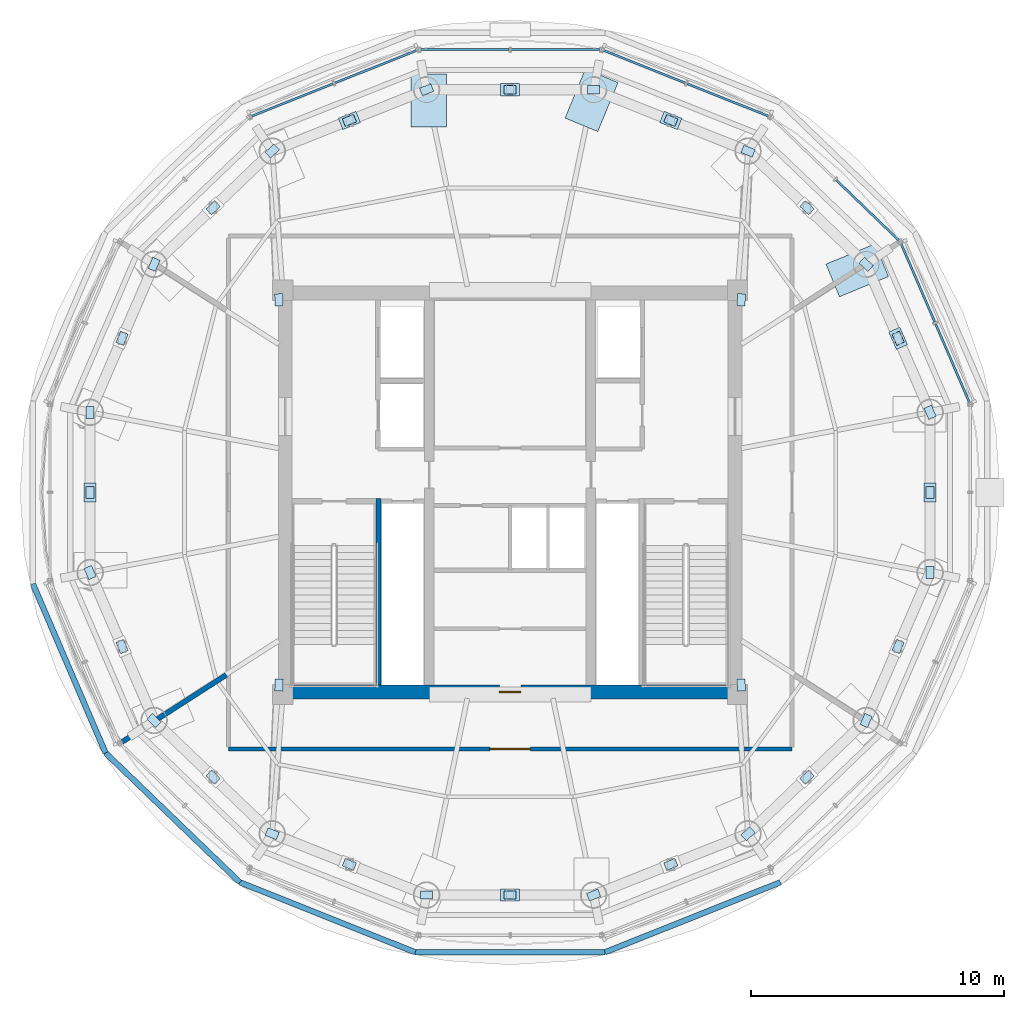
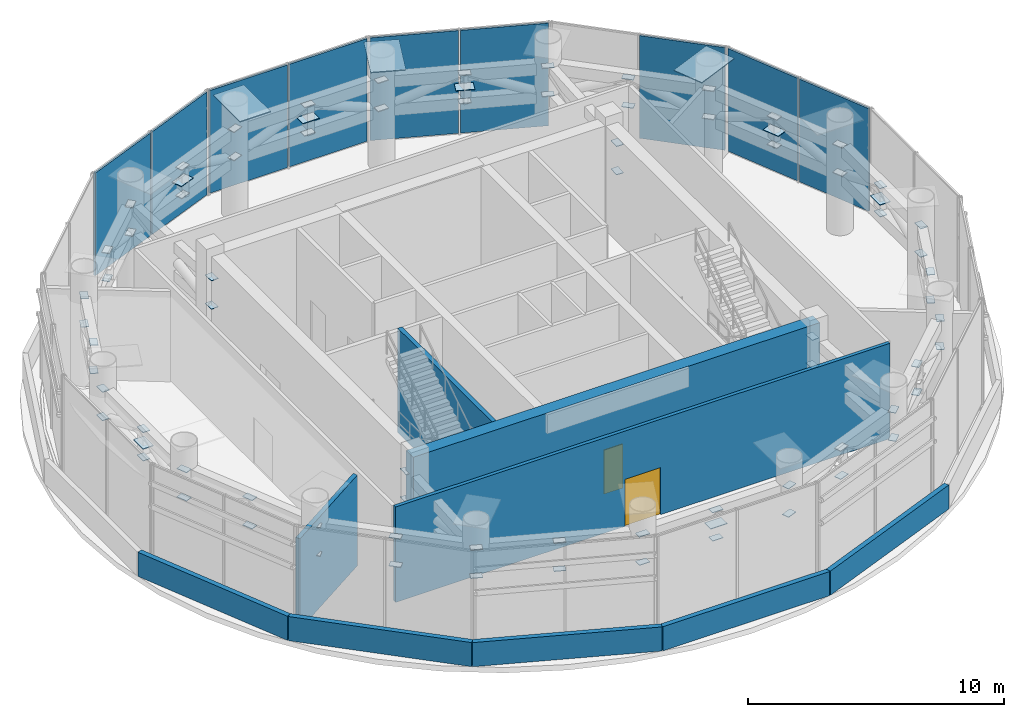
# One storey, part 16 of 21: 91 plates, 9 walls, 2 doors, 2 openings, 5 elements without a shape of their own.
"""IFC4 building model written with IfcOpenShell, lengths in metres."""

from ifc_helpers import new_model, si_unit, direction, frame, frame_2d, origin, origin_2d, place, context, subcontext, project, spatial, rectangle, extrude, source, transform, mapped, material, layer, layer_set, type_object, element, fill, aggregate, save


model = new_model("IFC4")

# Units and contexts
model_context = context("Model", 3, precision=1e-05, world=origin(), true_north=direction((-0.2419218956, 0.970295726276)))
body_context = subcontext(model_context, "Body", "Model", "MODEL_VIEW")
ifc_project = project(units=[si_unit("LENGTHUNIT", "METRE"), si_unit("AREAUNIT", "SQUARE_METRE"), si_unit("VOLUMEUNIT", "CUBIC_METRE"), si_unit("PLANEANGLEUNIT", "RADIAN"), si_unit("MASSUNIT", "GRAM", prefix="KILO")], contexts=[model_context])

# Site, building, storey
site_placement = place(None, origin())
site = spatial("IfcSite", under=ifc_project, at=site_placement, CompositionType="ELEMENT")
building_placement = place(site_placement, origin())
building = spatial("IfcBuilding", under=site, at=building_placement, Name="Cobrevalo Terracotta Tower", CompositionType="ELEMENT")
storey_placement = place(building_placement, frame((0.0, 0.0, 300.699951171875)))
storey = spatial("IfcBuildingStorey", under=building, at=storey_placement, Name="L79", CompositionType="ELEMENT", Elevation=300.699951171875)

# Plates
ifc_material_1 = material(Name="Steel S355", Category="steel")
ifc_layer_1 = layer(ifc_material_1, 0.044921875)
ifc_layer_set_1 = layer_set([ifc_layer_1], Name="Steel S355")
plate_type_1 = type_object("IfcPlateType", Name="Structural Cap Plate 2100x1400x45 (Steel S355)", PredefinedType="USERDEFINED", material=ifc_layer_set_1)
shared_shape_1 = source(origin(), body_context, "Body", "SweptSolid", [
    extrude(rectangle(XDim=2.10009765625, YDim=1.39990234375, at=origin_2d()), origin(), (0.0, 0.0, 1.0), 0.044921875),
])
for number, where, z_axis, x_axis, name in (
    (1, (51.739990234375, 35.591796875, 5.377685546875), (0.0, 0.0, 1.0), (0.923879532511, 0.382683432365, 0.0), "L79 hollow end cap plate CAP-MCT-L79-02"),
    (2, (41.223876953125, 42.321044921875, 5.377685546875), (0.0, 0.0, 1.0), (0.382683432365, 0.923879532511, 0.0), "L79 hollow end cap plate CAP-MCT-L79-04"),
    (3, (34.776123046875, 42.321044921875, 5.377685546875), (0.0, 0.0, 1.0), (0.0, 1.0, 0.0), "L79 hollow end cap plate CAP-MCT-L79-05"),
):
    element("IfcPlate", number, at=place(storey_placement, frame(where, z_axis=z_axis, x_axis=x_axis)), inside=storey, type_object=plate_type_1, Name=name, ObjectType="CAP PLATE", PredefinedType="USERDEFINED", context=body_context, shape_type="MappedRepresentation", body=[
        mapped(shared_shape_1, transform((0.0, 0.0, 0.0), scale=1.0)),
    ])
ifc_layer_2 = layer(ifc_material_1, 0.031982421875)
ifc_layer_set_2 = layer_set([ifc_layer_2], Name="Steel S355")
plate_type_2 = type_object("IfcPlateType", Name="Structural Gusset Plate 750x480x32 (Steel S355)", PredefinedType="SHEET", material=ifc_layer_set_2)
shared_shape_2 = source(origin(), body_context, "Body", "SweptSolid", [
    extrude(rectangle(XDim=0.75, YDim=0.47998046875, at=origin_2d()), origin(), (0.0, 0.0, 1.0), 0.031982421875),
])
for number, where, z_axis, x_axis, name in (
    (4, (53.35888671875, 32.899169921875, 3.30908203125), (0.0, 0.0, 1.0), (-0.396620838256, 0.91798252198, 0.0), "L79 hollow end cap plate GUS-BT-L79-01"),
    (5, (44.36181640625, 41.524658203125, 3.30908203125), (0.0, 0.0, 1.0), (-0.92940078382, 0.369072056697, 0.0), "L79 hollow end cap plate GUS-BT-L79-03"),
    (6, (38.0, 42.73779296875, 3.30908203125), (0.0, 0.0, 1.0), (-1.0, 0.0, 0.0), "L79 hollow end cap plate GUS-BT-L79-04"),
    (7, (31.63818359375, 41.524658203125, 3.30908203125), (0.0, 0.0, 1.0), (-0.92940078382, -0.369072056697, 0.0), "L79 hollow end cap plate GUS-BT-L79-05"),
    (8, (21.375732421875, 26.800048828125, 3.30908203125), (0.0, 0.0, 1.0), (0.0, -1.0, 0.0), "L79 hollow end cap plate GUS-BT-L79-08"),
    (9, (38.0, 10.8623046875, 3.30908203125), (0.0, 0.0, 1.0), (1.0, 0.0, 0.0), "L79 hollow end cap plate GUS-BT-L79-12"),
    (10, (54.624267578125, 26.800048828125, 3.30908203125), (0.0, 0.0, 1.0), (0.0, 1.0, 0.0), "L79 hollow end cap plate GUS-BT-L79-16"),
):
    element("IfcPlate", number, at=place(storey_placement, frame(where, z_axis=z_axis, x_axis=x_axis)), inside=storey, type_object=plate_type_2, Name=name, PredefinedType="SHEET", context=body_context, shape_type="MappedRepresentation", body=[
        mapped(shared_shape_2, transform((0.0, 0.0, 0.0), scale=1.0)),
    ])
ifc_layer_3 = layer(ifc_material_1, 0.02490234375)
ifc_layer_set_3 = layer_set([ifc_layer_3], Name="Steel S355")
plate_type_3 = type_object("IfcPlateType", Name="Structural Cap Plate 480x320x25 (Steel S355)", PredefinedType="USERDEFINED", material=ifc_layer_set_3)
shared_shape_3 = source(origin(), body_context, "Body", "SweptSolid", [
    extrude(rectangle(XDim=0.47998046875, YDim=0.320068359375, at=origin_2d()), origin(), (0.0, 0.0, 1.0), 0.02490234375),
])
for number, where, z_axis, x_axis, name in (
    (11, (54.624267578125, 29.97021484375, 2.6376953125), (0.0, 0.0, 1.0), (-0.396620838256, 0.91798252198, 0.0), "L79 hollow end cap plate CAP-BT-L79-01-B0"),
    (12, (54.624267578125, 29.97021484375, 3.987548828125), (0.0, 0.0, 1.0), (-0.396620838256, 0.91798252198, 0.0), "L79 hollow end cap plate CAP-BT-L79-01-T0"),
    (13, (53.35888671875, 32.899169921875, 2.6376953125), (0.0, 0.0, 1.0), (-0.396620838256, 0.91798252198, 0.0), "L79 hollow end cap plate CAP-BT-L79-01-BM"),
    (14, (53.35888671875, 32.899169921875, 3.987548828125), (0.0, 0.0, 1.0), (-0.396620838256, 0.91798252198, 0.0), "L79 hollow end cap plate CAP-BT-L79-01-TM"),
    (15, (52.093505859375, 35.828125, 2.6376953125), (0.0, 0.0, 1.0), (-0.721855654638, 0.692043650262, 0.0), "L79 hollow end cap plate CAP-BT-L79-02-B0"),
    (16, (52.093505859375, 35.828125, 3.987548828125), (0.0, 0.0, 1.0), (-0.721855654638, 0.692043650262, 0.0), "L79 hollow end cap plate CAP-BT-L79-02-T0"),
    (17, (49.755126953125, 38.069580078125, 2.6376953125), (0.0, 0.0, 1.0), (-0.721855654638, 0.692043650262, 0.0), "L79 hollow end cap plate CAP-BT-L79-02-BM"),
    (18, (49.755126953125, 38.069580078125, 3.987548828125), (0.0, 0.0, 1.0), (-0.721855654638, 0.692043650262, 0.0), "L79 hollow end cap plate CAP-BT-L79-02-TM"),
    (19, (47.4169921875, 40.311279296875, 2.6376953125), (0.0, 0.0, 1.0), (-0.92940078382, 0.369072056697, 0.0), "L79 hollow end cap plate CAP-BT-L79-03-B0"),
    (20, (47.4169921875, 40.311279296875, 3.987548828125), (0.0, 0.0, 1.0), (-0.92940078382, 0.369072056697, 0.0), "L79 hollow end cap plate CAP-BT-L79-03-T0"),
    (21, (44.36181640625, 41.524658203125, 2.6376953125), (0.0, 0.0, 1.0), (-0.92940078382, 0.369072056697, 0.0), "L79 hollow end cap plate CAP-BT-L79-03-BM"),
    (22, (44.36181640625, 41.524658203125, 3.987548828125), (0.0, 0.0, 1.0), (-0.92940078382, 0.369072056697, 0.0), "L79 hollow end cap plate CAP-BT-L79-03-TM"),
    (23, (41.306884765625, 42.73779296875, 2.6376953125), (0.0, 0.0, 1.0), (-1.0, 0.0, 0.0), "L79 hollow end cap plate CAP-BT-L79-04-B0"),
    (24, (41.306884765625, 42.73779296875, 3.987548828125), (0.0, 0.0, 1.0), (-1.0, 0.0, 0.0), "L79 hollow end cap plate CAP-BT-L79-04-T0"),
    (25, (38.0, 42.73779296875, 2.6376953125), (0.0, 0.0, 1.0), (-1.0, 0.0, 0.0), "L79 hollow end cap plate CAP-BT-L79-04-BM"),
    (26, (38.0, 42.73779296875, 3.987548828125), (0.0, 0.0, 1.0), (-1.0, 0.0, 0.0), "L79 hollow end cap plate CAP-BT-L79-04-TM"),
    (27, (34.693115234375, 42.73779296875, 2.6376953125), (0.0, 0.0, 1.0), (-0.92940078382, -0.369072056697, 0.0), "L79 hollow end cap plate CAP-BT-L79-05-B0"),
    (28, (34.693115234375, 42.73779296875, 3.987548828125), (0.0, 0.0, 1.0), (-0.92940078382, -0.369072056697, 0.0), "L79 hollow end cap plate CAP-BT-L79-05-T0"),
    (29, (31.63818359375, 41.524658203125, 2.6376953125), (0.0, 0.0, 1.0), (-0.92940078382, -0.369072056697, 0.0), "L79 hollow end cap plate CAP-BT-L79-05-BM"),
    (30, (31.63818359375, 41.524658203125, 3.987548828125), (0.0, 0.0, 1.0), (-0.92940078382, -0.369072056697, 0.0), "L79 hollow end cap plate CAP-BT-L79-05-TM"),
    (31, (28.5830078125, 40.311279296875, 2.6376953125), (0.0, 0.0, 1.0), (-0.721855654638, -0.692043650262, 0.0), "L79 hollow end cap plate CAP-BT-L79-06-B0"),
    (32, (28.5830078125, 40.311279296875, 3.987548828125), (0.0, 0.0, 1.0), (-0.721855654638, -0.692043650262, 0.0), "L79 hollow end cap plate CAP-BT-L79-06-T0"),
    (33, (26.244873046875, 38.069580078125, 2.6376953125), (0.0, 0.0, 1.0), (-0.721855654638, -0.692043650262, 0.0), "L79 hollow end cap plate CAP-BT-L79-06-BM"),
    (34, (26.244873046875, 38.069580078125, 3.987548828125), (0.0, 0.0, 1.0), (-0.721855654638, -0.692043650262, 0.0), "L79 hollow end cap plate CAP-BT-L79-06-TM"),
    (35, (23.906494140625, 35.828125, 2.6376953125), (0.0, 0.0, 1.0), (-0.396620838256, -0.91798252198, 0.0), "L79 hollow end cap plate CAP-BT-L79-07-B0"),
    (36, (23.906494140625, 35.828125, 3.987548828125), (0.0, 0.0, 1.0), (-0.396620838256, -0.91798252198, 0.0), "L79 hollow end cap plate CAP-BT-L79-07-T0"),
    (37, (22.64111328125, 32.899169921875, 2.6376953125), (0.0, 0.0, 1.0), (-0.396620838256, -0.91798252198, 0.0), "L79 hollow end cap plate CAP-BT-L79-07-BM"),
    (38, (22.64111328125, 32.899169921875, 3.987548828125), (0.0, 0.0, 1.0), (-0.396620838256, -0.91798252198, 0.0), "L79 hollow end cap plate CAP-BT-L79-07-TM"),
    (39, (21.375732421875, 29.97021484375, 2.6376953125), (0.0, 0.0, 1.0), (0.0, -1.0, 0.0), "L79 hollow end cap plate CAP-BT-L79-08-B0"),
    (40, (21.375732421875, 29.97021484375, 3.987548828125), (0.0, 0.0, 1.0), (0.0, -1.0, 0.0), "L79 hollow end cap plate CAP-BT-L79-08-T0"),
    (41, (21.375732421875, 26.800048828125, 2.6376953125), (0.0, 0.0, 1.0), (0.0, -1.0, 0.0), "L79 hollow end cap plate CAP-BT-L79-08-BM"),
    (42, (21.375732421875, 26.800048828125, 3.987548828125), (0.0, 0.0, 1.0), (0.0, -1.0, 0.0), "L79 hollow end cap plate CAP-BT-L79-08-TM"),
    (43, (21.375732421875, 23.6298828125, 2.6376953125), (0.0, 0.0, 1.0), (0.396620838256, -0.91798252198, 0.0), "L79 hollow end cap plate CAP-BT-L79-09-B0"),
    (44, (21.375732421875, 23.6298828125, 3.987548828125), (0.0, 0.0, 1.0), (0.396620838256, -0.91798252198, 0.0), "L79 hollow end cap plate CAP-BT-L79-09-T0"),
    (45, (22.64111328125, 20.700927734375, 2.6376953125), (0.0, 0.0, 1.0), (0.396620838256, -0.91798252198, 0.0), "L79 hollow end cap plate CAP-BT-L79-09-BM"),
    (46, (22.64111328125, 20.700927734375, 3.987548828125), (0.0, 0.0, 1.0), (0.396620838256, -0.91798252198, 0.0), "L79 hollow end cap plate CAP-BT-L79-09-TM"),
    (47, (23.906494140625, 17.77197265625, 2.6376953125), (0.0, 0.0, 1.0), (0.721855654638, -0.692043650262, 0.0), "L79 hollow end cap plate CAP-BT-L79-10-B0"),
    (48, (23.906494140625, 17.77197265625, 3.987548828125), (0.0, 0.0, 1.0), (0.721855654638, -0.692043650262, 0.0), "L79 hollow end cap plate CAP-BT-L79-10-T0"),
    (49, (26.244873046875, 15.5302734375, 2.6376953125), (0.0, 0.0, 1.0), (0.721855654638, -0.692043650262, 0.0), "L79 hollow end cap plate CAP-BT-L79-10-BM"),
    (50, (26.244873046875, 15.5302734375, 3.987548828125), (0.0, 0.0, 1.0), (0.721855654638, -0.692043650262, 0.0), "L79 hollow end cap plate CAP-BT-L79-10-TM"),
    (51, (28.5830078125, 13.28857421875, 2.6376953125), (0.0, 0.0, 1.0), (0.92940078382, -0.369072056697, 0.0), "L79 hollow end cap plate CAP-BT-L79-11-B0"),
    (52, (28.5830078125, 13.28857421875, 3.987548828125), (0.0, 0.0, 1.0), (0.92940078382, -0.369072056697, 0.0), "L79 hollow end cap plate CAP-BT-L79-11-T0"),
    (53, (31.63818359375, 12.075439453125, 2.6376953125), (0.0, 0.0, 1.0), (0.92940078382, -0.369072056697, 0.0), "L79 hollow end cap plate CAP-BT-L79-11-BM"),
    (54, (31.63818359375, 12.075439453125, 3.987548828125), (0.0, 0.0, 1.0), (0.92940078382, -0.369072056697, 0.0), "L79 hollow end cap plate CAP-BT-L79-11-TM"),
    (55, (34.693115234375, 10.8623046875, 2.6376953125), (0.0, 0.0, 1.0), (1.0, 0.0, 0.0), "L79 hollow end cap plate CAP-BT-L79-12-B0"),
    (56, (34.693115234375, 10.8623046875, 3.987548828125), (0.0, 0.0, 1.0), (1.0, 0.0, 0.0), "L79 hollow end cap plate CAP-BT-L79-12-T0"),
    (57, (38.0, 10.8623046875, 2.6376953125), (0.0, 0.0, 1.0), (1.0, 0.0, 0.0), "L79 hollow end cap plate CAP-BT-L79-12-BM"),
    (58, (38.0, 10.8623046875, 3.987548828125), (0.0, 0.0, 1.0), (1.0, 0.0, 0.0), "L79 hollow end cap plate CAP-BT-L79-12-TM"),
    (59, (41.306884765625, 10.8623046875, 2.6376953125), (0.0, 0.0, 1.0), (0.92940078382, 0.369072056697, 0.0), "L79 hollow end cap plate CAP-BT-L79-13-B0"),
    (60, (41.306884765625, 10.8623046875, 3.987548828125), (0.0, 0.0, 1.0), (0.92940078382, 0.369072056697, 0.0), "L79 hollow end cap plate CAP-BT-L79-13-T0"),
    (61, (44.36181640625, 12.075439453125, 2.6376953125), (0.0, 0.0, 1.0), (0.92940078382, 0.369072056697, 0.0), "L79 hollow end cap plate CAP-BT-L79-13-BM"),
    (62, (44.36181640625, 12.075439453125, 3.987548828125), (0.0, 0.0, 1.0), (0.92940078382, 0.369072056697, 0.0), "L79 hollow end cap plate CAP-BT-L79-13-TM"),
    (63, (47.4169921875, 13.28857421875, 2.6376953125), (0.0, 0.0, 1.0), (0.721855654638, 0.692043650262, 0.0), "L79 hollow end cap plate CAP-BT-L79-14-B0"),
    (64, (47.4169921875, 13.28857421875, 3.987548828125), (0.0, 0.0, 1.0), (0.721855654638, 0.692043650262, 0.0), "L79 hollow end cap plate CAP-BT-L79-14-T0"),
    (65, (49.755126953125, 15.5302734375, 2.6376953125), (0.0, 0.0, 1.0), (0.721855654638, 0.692043650262, 0.0), "L79 hollow end cap plate CAP-BT-L79-14-BM"),
    (66, (49.755126953125, 15.5302734375, 3.987548828125), (0.0, 0.0, 1.0), (0.721855654638, 0.692043650262, 0.0), "L79 hollow end cap plate CAP-BT-L79-14-TM"),
    (67, (52.093505859375, 17.77197265625, 2.6376953125), (0.0, 0.0, 1.0), (0.396620838256, 0.91798252198, 0.0), "L79 hollow end cap plate CAP-BT-L79-15-B0"),
    (68, (52.093505859375, 17.77197265625, 3.987548828125), (0.0, 0.0, 1.0), (0.396620838256, 0.91798252198, 0.0), "L79 hollow end cap plate CAP-BT-L79-15-T0"),
    (69, (53.35888671875, 20.700927734375, 2.6376953125), (0.0, 0.0, 1.0), (0.396620838256, 0.91798252198, 0.0), "L79 hollow end cap plate CAP-BT-L79-15-BM"),
    (70, (53.35888671875, 20.700927734375, 3.987548828125), (0.0, 0.0, 1.0), (0.396620838256, 0.91798252198, 0.0), "L79 hollow end cap plate CAP-BT-L79-15-TM"),
    (71, (54.624267578125, 23.6298828125, 2.6376953125), (0.0, 0.0, 1.0), (0.0, 1.0, 0.0), "L79 hollow end cap plate CAP-BT-L79-16-B0"),
    (72, (54.624267578125, 23.6298828125, 3.987548828125), (0.0, 0.0, 1.0), (0.0, 1.0, 0.0), "L79 hollow end cap plate CAP-BT-L79-16-T0"),
    (73, (54.624267578125, 26.800048828125, 2.6376953125), (0.0, 0.0, 1.0), (0.0, 1.0, 0.0), "L79 hollow end cap plate CAP-BT-L79-16-BM"),
    (74, (54.624267578125, 26.800048828125, 3.987548828125), (0.0, 0.0, 1.0), (0.0, 1.0, 0.0), "L79 hollow end cap plate CAP-BT-L79-16-TM"),
    (75, (47.14990234375, 34.425048828125, 2.6376953125), (0.0, 0.0, 1.0), (0.04529847733, 0.998973497122, 0.0), "L79 hollow end cap plate CAP-OR-L79-1-CB"),
    (76, (47.14990234375, 34.425048828125, 3.987548828125), (0.0, 0.0, 1.0), (0.04529847733, 0.998973497122, 0.0), "L79 hollow end cap plate CAP-OR-L79-1-CT"),
    (77, (28.85009765625, 34.425048828125, 2.6376953125), (0.0, 0.0, 1.0), (-0.04529847733, 0.998973497122, 0.0), "L79 hollow end cap plate CAP-OR-L79-2-CB"),
    (78, (28.85009765625, 34.425048828125, 3.987548828125), (0.0, 0.0, 1.0), (-0.04529847733, 0.998973497122, 0.0), "L79 hollow end cap plate CAP-OR-L79-2-CT"),
    (79, (28.85009765625, 19.175048828125, 2.6376953125), (0.0, 0.0, 1.0), (-0.04529847733, -0.998973497122, 0.0), "L79 hollow end cap plate CAP-OR-L79-3-CB"),
    (80, (28.85009765625, 19.175048828125, 3.987548828125), (0.0, 0.0, 1.0), (-0.04529847733, -0.998973497122, 0.0), "L79 hollow end cap plate CAP-OR-L79-3-CT"),
    (81, (47.14990234375, 19.175048828125, 2.6376953125), (0.0, 0.0, 1.0), (0.04529847733, -0.998973497122, 0.0), "L79 hollow end cap plate CAP-OR-L79-4-CB"),
    (82, (47.14990234375, 19.175048828125, 3.987548828125), (0.0, 0.0, 1.0), (0.04529847733, -0.998973497122, 0.0), "L79 hollow end cap plate CAP-OR-L79-4-CT"),
):
    element("IfcPlate", number, at=place(storey_placement, frame(where, z_axis=z_axis, x_axis=x_axis)), inside=storey, type_object=plate_type_3, Name=name, ObjectType="CAP PLATE", PredefinedType="USERDEFINED", context=body_context, shape_type="MappedRepresentation", body=[
        mapped(shared_shape_3, transform((0.0, 0.0, 0.0), scale=1.0)),
    ])

# Curtain wall, plates
ifc_material_2 = material(Name="Anodized aluminium", Category="aluminium")
curtain_wall_type = type_object("IfcCurtainWallType", Name="Belt-truss plant acoustic weather-louvre curtain wall CW-LV", PredefinedType="NOTDEFINED", material=ifc_material_2)
curtain_wall_1_placement = place(storey_placement, origin())
curtain_wall_1 = element("IfcCurtainWall", 83, at=curtain_wall_1_placement, inside=storey, type_object=curtain_wall_type, Name="L79 curtain wall CW-LV-L79-S01", PredefinedType="NOTDEFINED")
ifc_material_3 = material(Name="Anodized aluminium weather louvre", Category="aluminium")
ifc_layer_4 = layer(ifc_material_3, 0.0849609375)
ifc_layer_set_4 = layer_set([ifc_layer_4], Name="Anodized aluminium weather louvre")
plate_type_4 = type_object("IfcPlateType", Name="Plant room acoustic weather-louvre cassette 85 mm", PredefinedType="USERDEFINED", material=ifc_layer_set_4)
shared_shape_4 = source(origin(), body_context, "Body", "SweptSolid", [
    extrude(rectangle(XDim=3.38671875, YDim=0.0849609375, at=origin_2d()), origin(), (0.0, 0.0, 1.0), 4.89990234375),
])
plate_1_placement = place(storey_placement, frame((55.511962890625, 31.9150390625, 0.0400390625), z_axis=(0.0, 0.0, 1.0), x_axis=(-0.395367563103, 0.918522993749, 0.0)))
plate_1 = element("IfcPlate", 84, at=plate_1_placement, type_object=plate_type_4, Name="CW-LV-L79-S01 acoustic louvre panel B01", ObjectType="LOUVRE_PANEL", PredefinedType="USERDEFINED", context=body_context, shape_type="MappedRepresentation", body=[
    mapped(shared_shape_4, transform((0.0, 0.0, 0.0), scale=1.0)),
])
plate_2_placement = place(storey_placement, frame((54.1416015625, 35.09912109375, 0.0400390625), z_axis=(0.0, 0.0, 1.0), x_axis=(-0.395367563103, 0.918522993749, 0.0)))
plate_2 = element("IfcPlate", 85, at=plate_2_placement, type_object=plate_type_4, Name="CW-LV-L79-S01 acoustic louvre panel B02", ObjectType="LOUVRE_PANEL", PredefinedType="USERDEFINED", context=body_context, shape_type="MappedRepresentation", body=[
    mapped(shared_shape_4, transform((0.0, 0.0, 0.0), scale=1.0)),
])
aggregate(curtain_wall_1, [plate_1, plate_2])

# Curtain wall, plate
curtain_wall_2_placement = place(storey_placement, origin())
curtain_wall_2 = element("IfcCurtainWall", 86, at=curtain_wall_2_placement, inside=storey, type_object=curtain_wall_type, Name="L79 curtain wall CW-LV-L79-S02", PredefinedType="NOTDEFINED")
shared_shape_5 = source(origin(), body_context, "Body", "SweptSolid", [
    extrude(rectangle(XDim=3.435302734375, YDim=0.0849609375, at=origin_2d()), origin(), (0.0, 0.0, 1.0), 4.89990234375),
])
plate_3_placement = place(storey_placement, frame((52.14501953125, 37.974609375, 0.0400390625), z_axis=(0.0, 0.0, 1.0), x_axis=(-0.720557162725, 0.693395540255, 0.0)))
plate_3 = element("IfcPlate", 87, at=plate_3_placement, type_object=plate_type_4, Name="CW-LV-L79-S02 acoustic louvre panel B01", ObjectType="LOUVRE_PANEL", PredefinedType="USERDEFINED", context=body_context, shape_type="MappedRepresentation", body=[
    mapped(shared_shape_5, transform((0.0, 0.0, 0.0), scale=1.0)),
])
aggregate(curtain_wall_2, [plate_3])

# Curtain wall, plates
curtain_wall_3_placement = place(storey_placement, origin())
curtain_wall_3 = element("IfcCurtainWall", 88, at=curtain_wall_3_placement, inside=storey, type_object=curtain_wall_type, Name="L79 curtain wall CW-LV-L79-S03", PredefinedType="NOTDEFINED")
shared_shape_6 = source(origin(), body_context, "Body", "SweptSolid", [
    extrude(rectangle(XDim=3.483154296875, YDim=0.0849609375, at=origin_2d()), origin(), (0.0, 0.0, 1.0), 4.89990234375),
])
plate_4_placement = place(storey_placement, frame((46.624755859375, 42.332763671875, 0.0400390625), z_axis=(0.0, 0.0, 1.0), x_axis=(-0.928924628611, 0.370268867662, 0.0)))
plate_4 = element("IfcPlate", 89, at=plate_4_placement, type_object=plate_type_4, Name="CW-LV-L79-S03 acoustic louvre panel B01", ObjectType="LOUVRE_PANEL", PredefinedType="USERDEFINED", context=body_context, shape_type="MappedRepresentation", body=[
    mapped(shared_shape_6, transform((0.0, 0.0, 0.0), scale=1.0)),
])
plate_5_placement = place(storey_placement, frame((43.31494140625, 43.652099609375, 0.0400390625), z_axis=(0.0, 0.0, 1.0), x_axis=(-0.928924628611, 0.370268867662, 0.0)))
plate_5 = element("IfcPlate", 90, at=plate_5_placement, type_object=plate_type_4, Name="CW-LV-L79-S03 acoustic louvre panel B02", ObjectType="LOUVRE_PANEL", PredefinedType="USERDEFINED", context=body_context, shape_type="MappedRepresentation", body=[
    mapped(shared_shape_6, transform((0.0, 0.0, 0.0), scale=1.0)),
])
aggregate(curtain_wall_3, [plate_4, plate_5])

curtain_wall_4_placement = place(storey_placement, origin())
curtain_wall_4 = element("IfcCurtainWall", 91, at=curtain_wall_4_placement, inside=storey, type_object=curtain_wall_type, Name="L79 curtain wall CW-LV-L79-S05", PredefinedType="NOTDEFINED")
plate_6_placement = place(storey_placement, frame((32.68505859375, 43.652099609375, 0.0400390625), z_axis=(0.0, 0.0, 1.0), x_axis=(-0.928924628611, -0.370268867662, 0.0)))
plate_6 = element("IfcPlate", 92, at=plate_6_placement, type_object=plate_type_4, Name="CW-LV-L79-S05 acoustic louvre panel B01", ObjectType="LOUVRE_PANEL", PredefinedType="USERDEFINED", context=body_context, shape_type="MappedRepresentation", body=[
    mapped(shared_shape_6, transform((0.0, 0.0, 0.0), scale=1.0)),
])
plate_7_placement = place(storey_placement, frame((29.375244140625, 42.332763671875, 0.0400390625), z_axis=(0.0, 0.0, 1.0), x_axis=(-0.928924628611, -0.370268867662, 0.0)))
plate_7 = element("IfcPlate", 93, at=plate_7_placement, type_object=plate_type_4, Name="CW-LV-L79-S05 acoustic louvre panel B02", ObjectType="LOUVRE_PANEL", PredefinedType="USERDEFINED", context=body_context, shape_type="MappedRepresentation", body=[
    mapped(shared_shape_6, transform((0.0, 0.0, 0.0), scale=1.0)),
])
aggregate(curtain_wall_4, [plate_6, plate_7])

curtain_wall_5_placement = place(storey_placement, origin())
curtain_wall_5 = element("IfcCurtainWall", 94, at=curtain_wall_5_placement, inside=storey, type_object=curtain_wall_type, Name="L79 curtain wall CW-LV-L79-S04", PredefinedType="NOTDEFINED")
shared_shape_7 = source(origin(), body_context, "Body", "SweptSolid", [
    extrude(rectangle(XDim=3.502685546875, YDim=0.0849609375, at=origin_2d()), origin(), (0.0, 0.0, 1.0), 4.89990234375),
])
plate_8_placement = place(storey_placement, frame((39.79150390625, 44.32666015625, 0.0400390625), z_axis=(0.0, 0.0, 1.0), x_axis=(-1.0, 0.0, 0.0)))
plate_8 = element("IfcPlate", 95, at=plate_8_placement, type_object=plate_type_4, Name="CW-LV-L79-S04 acoustic louvre panel B01", ObjectType="LOUVRE_PANEL", PredefinedType="USERDEFINED", context=body_context, shape_type="MappedRepresentation", body=[
    mapped(shared_shape_7, transform((0.0, 0.0, 0.0), scale=1.0)),
])
plate_9_placement = place(storey_placement, frame((36.20849609375, 44.32666015625, 0.0400390625), z_axis=(0.0, 0.0, 1.0), x_axis=(-1.0, 0.0, 0.0)))
plate_9 = element("IfcPlate", 96, at=plate_9_placement, type_object=plate_type_4, Name="CW-LV-L79-S04 acoustic louvre panel B02", ObjectType="LOUVRE_PANEL", PredefinedType="USERDEFINED", context=body_context, shape_type="MappedRepresentation", body=[
    mapped(shared_shape_7, transform((0.0, 0.0, 0.0), scale=1.0)),
])
aggregate(curtain_wall_5, [plate_8, plate_9])

# Wall, opening, door
ifc_material_4 = material(Name="Concrete C50", Category="concrete")
ifc_layer_5 = layer(ifc_material_4, 0.550048828125)
ifc_layer_set_5 = layer_set([ifc_layer_5], Name="Concrete C50")
wall_type_1 = type_object("IfcWallType", Name="Core shear wall 550 mm Concrete C50", PredefinedType="SHEAR", material=ifc_layer_set_5)
wall_1_placement = place(storey_placement, frame((28.824951171875, 18.89990234375, 0.0), z_axis=(0.0, 0.0, 1.0), x_axis=(1.0, 0.0, 0.0)))
wall_1 = element("IfcWall", 97, at=wall_1_placement, inside=storey, type_object=wall_type_1, Name="L79 south core shear wall", PredefinedType="SHEAR", context=body_context, shape_type="SweptSolid", body=[
    extrude(rectangle(XDim=18.35009765625, YDim=0.550048828125, at=frame_2d((9.175048828125, 0.0))), origin(), (0.0, 0.0, 1.0), 4.97998046875),
])
opening_1_placement = place(wall_1_placement, frame((8.75, 0.0, 0.0)))
opening_1 = element("IfcOpeningElement", 98, at=opening_1_placement, cuts=wall_1, Name="Opening ID-22", PredefinedType="OPENING", context=body_context, shape_type="SweptSolid", body=[
    extrude(rectangle(XDim=0.85009765625, YDim=2.10009765625, at=frame_2d((0.425048828125, 1.050048828125))), frame((0.0, 0.28515625, 0.0), z_axis=(0.0, -1.0, 0.0), x_axis=(1.0, 0.0, 0.0)), (0.0, 0.0, 1.0), 0.570068359375),
])
ifc_material_5 = material(Name="Powder-coated steel", Category="steel")
door_type_1 = type_object("IfcDoorType", Name="Riser shaft & meter closet fire access door 850x2100 EI 60", OperationType="NOTDEFINED", PredefinedType="DOOR", material=ifc_material_5)
shared_shape_8 = source(origin(), body_context, "Body", "SweptSolid", [
    extrude(rectangle(XDim=0.85009765625, YDim=2.10009765625, at=frame_2d((0.425048828125, 1.050048828125))), frame((0.0, 0.02490234375, 0.0), z_axis=(0.0, -1.0, 0.0), x_axis=(1.0, 0.0, 0.0)), (0.0, 0.0, 1.0), 0.050048828125),
])
door_1_placement = place(opening_1_placement, origin())
door_1 = element("IfcDoor", 99, at=door_1_placement, inside=storey, type_object=door_type_1, Name="L79 core south plant door Smoke Extract Fan Plant", OperationType="SINGLE_SWING_RIGHT", OverallHeight=2.10009765625, OverallWidth=0.85009765625, PredefinedType="DOOR", context=body_context, shape_type="MappedRepresentation", body=[
    mapped(shared_shape_8, transform((0.0, 0.0, 0.0), scale=1.0)),
])
fill(opening_1, door_1)

ifc_material_6 = material(Name="Gypsum board on steel stud", Category="steel")
ifc_layer_6 = layer(ifc_material_6, 0.159912109375)
ifc_layer_set_6 = layer_set([ifc_layer_6], Name="Gypsum board on steel stud")
wall_type_2 = type_object("IfcWallType", Name="Fire-rated corridor acoustic partition wall 160 mm", PredefinedType="PARTITIONING", material=ifc_layer_set_6)
wall_2_placement = place(storey_placement, frame((26.844970703125, 16.64501953125, 0.0), z_axis=(0.0, 0.0, 1.0), x_axis=(1.0, 0.0, 0.0)))
wall_2 = element("IfcWall", 100, at=wall_2_placement, inside=storey, type_object=wall_type_2, Name="L79 interior partition IW-L79-COR-S", PredefinedType="PARTITIONING", context=body_context, shape_type="SweptSolid", body=[
    extrude(rectangle(XDim=22.31005859375, YDim=0.159912109375, at=frame_2d((11.155029296875, 0.0))), origin(), (0.0, 0.0, 1.0), 4.552001953125),
])
opening_2_placement = place(wall_2_placement, frame((10.35498046875, 0.0, 0.0)))
opening_2 = element("IfcOpeningElement", 101, at=opening_2_placement, cuts=wall_2, Name="Opening ID-06", PredefinedType="OPENING", context=body_context, shape_type="SweptSolid", body=[
    extrude(rectangle(XDim=1.60009765625, YDim=2.25, at=frame_2d((0.800048828125, 1.125))), frame((0.0, 0.08984375, 0.0), z_axis=(0.0, -1.0, 0.0), x_axis=(1.0, 0.0, 0.0)), (0.0, 0.0, 1.0), 0.179931640625),
])
ifc_material_7 = material(Name="Galvanized fire-rated steel", Category="steel")
door_type_2 = type_object("IfcDoorType", Name="Plant & mechanical room double fire door 1600x2250 EI 90", OperationType="NOTDEFINED", PredefinedType="DOOR", material=ifc_material_7)
shared_shape_9 = source(origin(), body_context, "Body", "SweptSolid", [
    extrude(rectangle(XDim=1.60009765625, YDim=2.25, at=frame_2d((0.800048828125, 1.125))), frame((0.0, 0.02490234375, 0.0), z_axis=(0.0, -1.0, 0.0), x_axis=(1.0, 0.0, 0.0)), (0.0, 0.0, 1.0), 0.050048828125),
])
door_2_placement = place(opening_2_placement, origin())
door_2 = element("IfcDoor", 102, at=door_2_placement, inside=storey, type_object=door_type_2, Name="L79 Belt-Truss AHU Plant Room South door", OperationType="DOUBLE_DOOR_SINGLE_SWING", OverallHeight=2.25, OverallWidth=1.60009765625, PredefinedType="DOOR", context=body_context, shape_type="MappedRepresentation", body=[
    mapped(shared_shape_9, transform((0.0, 0.0, 0.0), scale=1.0)),
])
fill(opening_2, door_2)

# Walls
ifc_material_8 = material(Name="Autoclaved aerated concrete block", Category="concrete")
ifc_layer_7 = layer(ifc_material_8, 0.199951171875)
ifc_layer_set_7 = layer_set([ifc_layer_7], Name="Autoclaved aerated concrete block")
wall_type_3 = type_object("IfcWallType", Name="Fire-rated stair, shaft & demising masonry wall 200 mm", PredefinedType="PARTITIONING", material=ifc_layer_set_7)
wall_3_placement = place(storey_placement, frame((26.764892578125, 19.575439453125, 0.0), z_axis=(0.0, 0.0, 1.0), x_axis=(-0.841100921619, -0.540878211478, 0.0)))
element("IfcWall", 103, at=wall_3_placement, inside=storey, type_object=wall_type_3, Name="L79 interior partition IW-L79-PW2", PredefinedType="PARTITIONING", context=body_context, shape_type="SweptSolid", body=[
    extrude(rectangle(XDim=4.91015625, YDim=0.199951171875, at=frame_2d((2.455078125, 0.0))), origin(), (0.0, 0.0, 1.0), 4.330078125),
])
ifc_material_9 = material(Name="Precast concrete C45", Category="concrete")
ifc_layer_8 = layer(ifc_material_9, 0.219970703125)
ifc_layer_set_8 = layer_set([ifc_layer_8], Name="Precast concrete C45")
wall_type_4 = type_object("IfcWallType", Name="Precast concrete roof and setback terrace parapet wall 220 mm", PredefinedType="PARAPET", material=ifc_layer_set_8)
wall_4_placement = place(storey_placement, frame((19.110107421875, 23.17919921875, 0.0), z_axis=(0.0, 0.0, 1.0), x_axis=(0.394882037325, -0.918731830622, 0.0)))
element("IfcWall", 104, at=wall_4_placement, inside=storey, type_object=wall_type_4, Name="L79 setback roof concrete parapet 09", PredefinedType="PARAPET", context=body_context, shape_type="SweptSolid", body=[
    extrude(rectangle(XDim=7.282470703125, YDim=0.219970703125, at=frame_2d((3.64111328125, 0.0))), origin(), (0.0, 0.0, 1.0), 1.150146484375),
])
wall_5_placement = place(storey_placement, frame((21.98583984375, 16.488525390625, 0.0), z_axis=(0.0, 0.0, 1.0), x_axis=(0.720086306967, -0.693884508055, 0.0)))
element("IfcWall", 105, at=wall_5_placement, inside=storey, type_object=wall_type_4, Name="L79 setback roof concrete parapet 10", PredefinedType="PARAPET", context=body_context, shape_type="SweptSolid", body=[
    extrude(rectangle(XDim=7.379638671875, YDim=0.219970703125, at=frame_2d((3.68994140625, 0.0))), origin(), (0.0, 0.0, 1.0), 1.150146484375),
])
wall_6_placement = place(storey_placement, frame((27.2998046875, 11.367919921875, 0.0), z_axis=(0.0, 0.0, 1.0), x_axis=(0.928748972375, -0.370709247677, 0.0)))
element("IfcWall", 106, at=wall_6_placement, inside=storey, type_object=wall_type_4, Name="L79 setback roof concrete parapet 11", PredefinedType="PARAPET", context=body_context, shape_type="SweptSolid", body=[
    extrude(rectangle(XDim=7.4755859375, YDim=0.219970703125, at=frame_2d((3.73779296875, 0.0))), origin(), (0.0, 0.0, 1.0), 1.150146484375),
])
wall_7_placement = place(storey_placement, frame((34.24267578125, 8.5966796875, 0.0), z_axis=(0.0, 0.0, 1.0), x_axis=(1.0, 0.0, 0.0)))
element("IfcWall", 107, at=wall_7_placement, inside=storey, type_object=wall_type_4, Name="L79 setback roof concrete parapet 12", PredefinedType="PARAPET", context=body_context, shape_type="SweptSolid", body=[
    extrude(rectangle(XDim=7.5146484375, YDim=0.219970703125, at=frame_2d((3.75732421875, 0.0))), origin(), (0.0, 0.0, 1.0), 1.150146484375),
])
wall_8_placement = place(storey_placement, frame((41.75732421875, 8.5966796875, 0.0), z_axis=(0.0, 0.0, 1.0), x_axis=(0.928748972375, 0.370709247677, 0.0)))
element("IfcWall", 108, at=wall_8_placement, inside=storey, type_object=wall_type_4, Name="L79 setback roof concrete parapet 13", PredefinedType="PARAPET", context=body_context, shape_type="SweptSolid", body=[
    extrude(rectangle(XDim=7.4755859375, YDim=0.219970703125, at=frame_2d((3.73779296875, 0.0))), origin(), (0.0, 0.0, 1.0), 1.150146484375),
])
ifc_layer_9 = layer(ifc_material_4, 0.199951171875)
ifc_layer_set_9 = layer_set([ifc_layer_9], Name="Concrete C50")
wall_type_5 = type_object("IfcWallType", Name="Structural core & podium stair-shaft RC wall 200 mm Concrete C50", PredefinedType="SOLIDWALL", material=ifc_layer_set_9)
wall_9_placement = place(storey_placement, frame((32.794921875, 19.175048828125, 0.0), z_axis=(0.0, 0.0, 1.0), x_axis=(0.0, 1.0, 0.0)))
element("IfcWall", 109, at=wall_9_placement, inside=storey, type_object=wall_type_5, Name="L79 ST-1 east structural shaft wall", PredefinedType="SOLIDWALL", context=body_context, shape_type="SweptSolid", body=[
    extrude(rectangle(XDim=7.375, YDim=0.199951171875, at=frame_2d((3.6875, 0.0))), origin(), (0.0, 0.0, 1.0), 4.97998046875),
])

save(model, "model.ifc")
